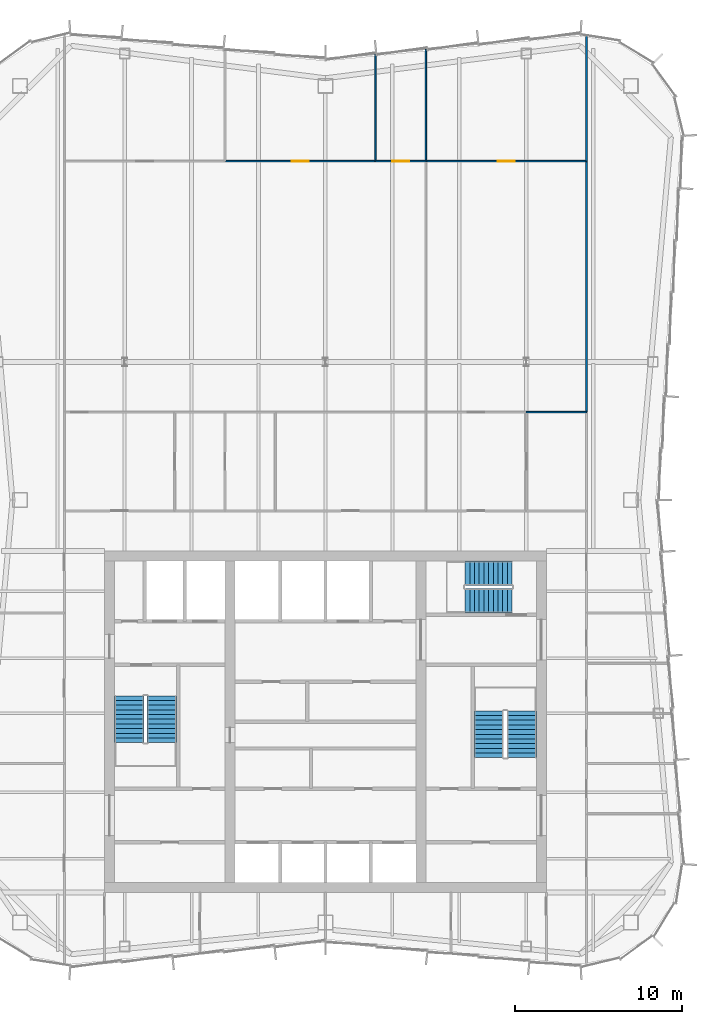
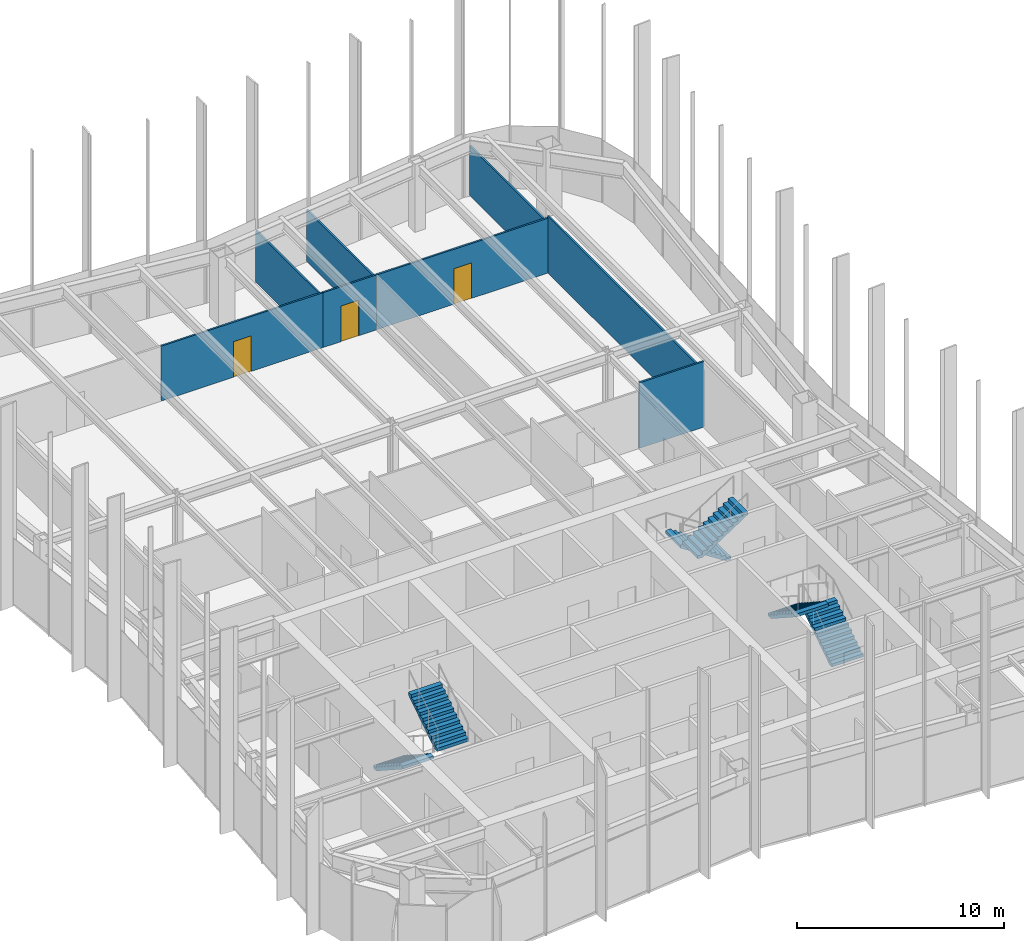
# One storey, part 12 of 13: 8 walls, 6 stair flights, 3 doors, 3 openings, 3 elements without a shape of their own.
"""IFC4 building model written with IfcOpenShell, lengths in metres."""

from ifc_helpers import new_model, si_unit, direction, frame, frame_2d, origin, place, context, subcontext, project, spatial, polyline, rectangle, outline, extrude, material, layer, layer_set, type_object, element, fill, aggregate, save


model = new_model("IFC4")

# Units and contexts
model_context = context("Model", 3, precision=1e-05, world=origin(), true_north=direction((0.0, 1.0)))
body_context = subcontext(model_context, "Body", "Model", "MODEL_VIEW")
ifc_project = project(units=[si_unit("LENGTHUNIT", "METRE"), si_unit("AREAUNIT", "SQUARE_METRE"), si_unit("VOLUMEUNIT", "CUBIC_METRE"), si_unit("PLANEANGLEUNIT", "RADIAN"), si_unit("MASSUNIT", "GRAM", prefix="KILO")], contexts=[model_context])

# Site, building, storey
site_placement = place(None, origin())
site = spatial("IfcSite", under=ifc_project, at=site_placement, CompositionType="ELEMENT")
building_placement = place(site_placement, origin())
building = spatial("IfcBuilding", under=site, at=building_placement, Name="Verdant Reach Tower", CompositionType="ELEMENT")
storey_placement = place(building_placement, frame((0.0, 0.0, 306.0)))
storey = spatial("IfcBuildingStorey", under=building, at=storey_placement, Name="L70", CompositionType="ELEMENT", Elevation=306.0)

# Walls
ifc_material_1 = material(Name="Gypsum board on steel studs", Category="steel")
ifc_layer = layer(ifc_material_1, 0.10009765625)
ifc_layer_set = layer_set([ifc_layer], Name="FL-W1 Partition 100")
wall_type = type_object("IfcWallType", Name="FL-W1 Partition 100", PredefinedType="PARTITIONING", material=ifc_layer_set)
wall_1_placement = place(storey_placement, frame((15.60009765625, 61.5, 0.0), z_axis=(0.0, 0.0, 1.0), x_axis=(0.0, -1.0, 0.0)))
element("IfcWall", 1, at=wall_1_placement, inside=storey, type_object=wall_type, Name="Partition 70.29", PredefinedType="PARTITIONING", context=body_context, shape_type="SweptSolid", body=[
    extrude(rectangle(XDim=15.0, YDim=0.10009765625, at=frame_2d((7.5, 0.0))), origin(), (0.0, 0.0, 1.0), 3.35009765625),
])
wall_2_placement = place(storey_placement, frame((15.60009765625, 69.010498046875, 0.0), z_axis=(0.0, 0.0, 1.0), x_axis=(0.0, -1.0, 0.0)))
element("IfcWall", 2, at=wall_2_placement, inside=storey, type_object=wall_type, Name="Partition 70.30", PredefinedType="PARTITIONING", context=body_context, shape_type="SweptSolid", body=[
    extrude(rectangle(XDim=7.510498046875, YDim=0.10009765625, at=frame_2d((3.75537109375, 0.0))), origin(), (0.0, 0.0, 1.0), 2.929931640625),
])

# Wall, opening, door
wall_3_placement = place(storey_placement, frame((-6.0, 61.5, 0.0), z_axis=(0.0, 0.0, 1.0), x_axis=(1.0, 0.0, 0.0)))
wall_3 = element("IfcWall", 3, at=wall_3_placement, inside=storey, type_object=wall_type, Name="Partition 70.43", PredefinedType="PARTITIONING", context=body_context, shape_type="SweptSolid", body=[
    extrude(rectangle(XDim=9.0, YDim=0.10009765625, at=frame_2d((4.5, 0.0))), origin(), (0.0, 0.0, 1.0), 3.239990234375),
])
opening_1_placement = place(wall_3_placement, frame((4.0, 0.0, 0.0)))
opening_1 = element("IfcOpeningElement", 4, at=opening_1_placement, cuts=wall_3, Name="Opening D3", PredefinedType="OPENING", context=body_context, shape_type="SweptSolid", body=[
    extrude(rectangle(XDim=1.0, YDim=2.10009765625, at=frame_2d((0.5, 1.050048828125))), frame((0.0, 0.06005859375, 0.0), z_axis=(0.0, -1.0, 0.0), x_axis=(1.0, 0.0, 0.0)), (0.0, 0.0, 1.0), 0.1201171875),
])
ifc_material_2 = material(Name="Painted timber door leaf", Category="wood")
door_type = type_object("IfcDoorType", Name="FL-D3 Door 1000x2100", OperationType="NOTDEFINED", PredefinedType="DOOR", material=ifc_material_2)
door_1_placement = place(opening_1_placement, origin())
door_1 = element("IfcDoor", 5, at=door_1_placement, inside=storey, type_object=door_type, Name="Door 70-021", OperationType="SINGLE_SWING_LEFT", OverallHeight=2.10009765625, OverallWidth=1.0, PredefinedType="DOOR", context=body_context, shape_type="SweptSolid", body=[
    extrude(rectangle(XDim=1.0, YDim=2.10009765625, at=frame_2d((0.5, 1.050048828125))), frame((0.0, 0.02490234375, 0.0), z_axis=(0.0, -1.0, 0.0), x_axis=(1.0, 0.0, 0.0)), (0.0, 0.0, 1.0), 0.050048828125),
])
fill(opening_1, door_1)

wall_4_placement = place(storey_placement, frame((3.0, 61.5, 0.0), z_axis=(0.0, 0.0, 1.0), x_axis=(1.0, 0.0, 0.0)))
wall_4 = element("IfcWall", 6, at=wall_4_placement, inside=storey, type_object=wall_type, Name="Partition 70.44", PredefinedType="PARTITIONING", context=body_context, shape_type="SweptSolid", body=[
    extrude(rectangle(XDim=3.0, YDim=0.10009765625, at=frame_2d((1.5, 0.0))), origin(), (0.0, 0.0, 1.0), 3.239990234375),
])
opening_2_placement = place(wall_4_placement, frame((1.0, 0.0, 0.0)))
opening_2 = element("IfcOpeningElement", 7, at=opening_2_placement, cuts=wall_4, Name="Opening D3", PredefinedType="OPENING", context=body_context, shape_type="SweptSolid", body=[
    extrude(rectangle(XDim=1.0, YDim=2.10009765625, at=frame_2d((0.5, 1.050048828125))), frame((0.0, 0.06005859375, 0.0), z_axis=(0.0, -1.0, 0.0), x_axis=(1.0, 0.0, 0.0)), (0.0, 0.0, 1.0), 0.1201171875),
])
door_2_placement = place(opening_2_placement, origin())
door_2 = element("IfcDoor", 8, at=door_2_placement, inside=storey, type_object=door_type, Name="Door 70-022", OperationType="SINGLE_SWING_RIGHT", OverallHeight=2.10009765625, OverallWidth=1.0, PredefinedType="DOOR", context=body_context, shape_type="SweptSolid", body=[
    extrude(rectangle(XDim=1.0, YDim=2.10009765625, at=frame_2d((0.5, 1.050048828125))), frame((0.0, 0.02490234375, 0.0), z_axis=(0.0, -1.0, 0.0), x_axis=(1.0, 0.0, 0.0)), (0.0, 0.0, 1.0), 0.050048828125),
])
fill(opening_2, door_2)

# Walls
wall_5_placement = place(storey_placement, frame((3.0, 61.5, 0.0), z_axis=(0.0, 0.0, 1.0), x_axis=(0.0, 1.0, 0.0)))
element("IfcWall", 9, at=wall_5_placement, inside=storey, type_object=wall_type, Name="Partition 70.47", PredefinedType="PARTITIONING", context=body_context, shape_type="SweptSolid", body=[
    extrude(rectangle(XDim=6.375, YDim=0.10009765625, at=frame_2d((3.1875, 0.0))), origin(), (0.0, 0.0, 1.0), 3.0400390625),
])
wall_6_placement = place(storey_placement, frame((6.0, 61.5, 0.0), z_axis=(0.0, 0.0, 1.0), x_axis=(0.0, 1.0, 0.0)))
element("IfcWall", 10, at=wall_6_placement, inside=storey, type_object=wall_type, Name="Partition 70.48", PredefinedType="PARTITIONING", context=body_context, shape_type="SweptSolid", body=[
    extrude(rectangle(XDim=6.670166015625, YDim=0.10009765625, at=frame_2d((3.3349609375, 0.0))), origin(), (0.0, 0.0, 1.0), 3.0400390625),
])
wall_7_placement = place(storey_placement, frame((15.60009765625, 46.5, 0.0), z_axis=(0.0, 0.0, 1.0), x_axis=(-1.0, 0.0, 0.0)))
element("IfcWall", 11, at=wall_7_placement, inside=storey, type_object=wall_type, Name="Partition 70.51", PredefinedType="PARTITIONING", context=body_context, shape_type="SweptSolid", body=[
    extrude(rectangle(XDim=3.60400390625, YDim=0.10009765625, at=frame_2d((1.802001953125, 0.0))), origin(), (0.0, 0.0, 1.0), 3.8701171875),
])

# Wall, opening, door
wall_8_placement = place(storey_placement, frame((6.0, 61.5, 0.0), z_axis=(0.0, 0.0, 1.0), x_axis=(1.0, 0.0, 0.0)))
wall_8 = element("IfcWall", 12, at=wall_8_placement, inside=storey, type_object=wall_type, Name="Partition 70.52", PredefinedType="PARTITIONING", context=body_context, shape_type="SweptSolid", body=[
    extrude(rectangle(XDim=9.60009765625, YDim=0.10009765625, at=frame_2d((4.800048828125, 0.0))), origin(), (0.0, 0.0, 1.0), 3.239990234375),
])
opening_3_placement = place(wall_8_placement, frame((4.300048828125, 0.0, 0.0)))
opening_3 = element("IfcOpeningElement", 13, at=opening_3_placement, cuts=wall_8, Name="Opening D3", PredefinedType="OPENING", context=body_context, shape_type="SweptSolid", body=[
    extrude(rectangle(XDim=1.0, YDim=2.10009765625, at=frame_2d((0.5, 1.050048828125))), frame((0.0, 0.06005859375, 0.0), z_axis=(0.0, -1.0, 0.0), x_axis=(1.0, 0.0, 0.0)), (0.0, 0.0, 1.0), 0.1201171875),
])
door_3_placement = place(opening_3_placement, origin())
door_3 = element("IfcDoor", 14, at=door_3_placement, inside=storey, type_object=door_type, Name="Door 70-025", OperationType="SINGLE_SWING_LEFT", OverallHeight=2.10009765625, OverallWidth=1.0, PredefinedType="DOOR", context=body_context, shape_type="SweptSolid", body=[
    extrude(rectangle(XDim=1.0, YDim=2.10009765625, at=frame_2d((0.5, 1.050048828125))), frame((0.0, 0.02490234375, 0.0), z_axis=(0.0, -1.0, 0.0), x_axis=(1.0, 0.0, 0.0)), (0.0, 0.0, 1.0), 0.050048828125),
])
fill(opening_3, door_3)

# Stair, stair flights
ifc_material_3 = material(Name="Concrete C40/50", Category="concrete")
stair_type = type_object("IfcStairType", Name="CO-STAIR", PredefinedType="HALF_TURN_STAIR", material=ifc_material_3)
stair_1_placement = place(storey_placement, origin())
stair_1 = element("IfcStair", 15, at=stair_1_placement, inside=storey, type_object=stair_type, Name="L70 Exit stair 1", PredefinedType="HALF_TURN_STAIR")
stair_flight_type = type_object("IfcStairFlightType", Name="CO-STAIR-FLIGHT", PredefinedType="STRAIGHT", material=ifc_material_3)
stair_flight_1_placement = place(storey_placement, frame((-11.72509765625, 29.550048828125, 0.0), z_axis=(0.0, 0.0, 1.0), x_axis=(0.0, -1.0, 0.0)))
stair_flight_1 = element("IfcStairFlight", 16, at=stair_flight_1_placement, type_object=stair_flight_type, Name="ST-1 flight 1", NumberOfRisers=11, NumberOfTreads=10, PredefinedType="STRAIGHT", RiserHeight=0.181818182, TreadLength=0.28, context=body_context, shape_type="SweptSolid", body=[
    extrude(outline(polyline([(0.0, 0.0), (0.0, 0.181884765625), (0.280029296875, 0.181884765625), (0.280029296875, 0.363525390625), (0.56005859375, 0.363525390625), (0.56005859375, 0.54541015625), (0.840087890625, 0.54541015625), (0.840087890625, 0.727294921875), (1.1201171875, 0.727294921875), (1.1201171875, 0.9091796875), (1.39990234375, 0.9091796875), (1.39990234375, 1.0908203125), (1.679931640625, 1.0908203125), (1.679931640625, 1.272705078125), (1.9599609375, 1.272705078125), (1.9599609375, 1.45458984375), (2.239990234375, 1.45458984375), (2.239990234375, 1.636474609375), (2.52001953125, 1.636474609375), (2.52001953125, 1.818115234375), (2.800048828125, 1.818115234375), (2.800048828125, 2.0), (2.800048828125, 1.639404296875), (0.275146484375, 0.0), (0.0, 0.0)])), frame((0.0, 0.875, 0.0), z_axis=(0.0, -1.0, 0.0), x_axis=(1.0, 0.0, 0.0)), (0.0, 0.0, 1.0), 1.75),
])
stair_flight_2_placement = place(storey_placement, frame((-9.77490234375, 26.75, 2.0), z_axis=(0.0, 0.0, 1.0), x_axis=(0.0, 1.0, 0.0)))
stair_flight_2 = element("IfcStairFlight", 17, at=stair_flight_2_placement, type_object=stair_flight_type, Name="ST-1 flight 2", NumberOfRisers=11, NumberOfTreads=10, PredefinedType="STRAIGHT", RiserHeight=0.181818182, TreadLength=0.28, context=body_context, shape_type="SweptSolid", body=[
    extrude(outline(polyline([(0.0, 0.0), (0.0, 0.181884765625), (0.280029296875, 0.181884765625), (0.280029296875, 0.363525390625), (0.56005859375, 0.363525390625), (0.56005859375, 0.54541015625), (0.840087890625, 0.54541015625), (0.840087890625, 0.727294921875), (1.1201171875, 0.727294921875), (1.1201171875, 0.9091796875), (1.39990234375, 0.9091796875), (1.39990234375, 1.0908203125), (1.679931640625, 1.0908203125), (1.679931640625, 1.272705078125), (1.9599609375, 1.272705078125), (1.9599609375, 1.45458984375), (2.239990234375, 1.45458984375), (2.239990234375, 1.636474609375), (2.52001953125, 1.636474609375), (2.52001953125, 1.818115234375), (2.800048828125, 1.818115234375), (2.800048828125, 2.0), (2.800048828125, 1.639404296875), (0.275146484375, 0.0), (0.0, 0.0)])), frame((0.0, 0.875, 0.0), z_axis=(0.0, -1.0, 0.0), x_axis=(1.0, 0.0, 0.0)), (0.0, 0.0, 1.0), 1.75),
])
aggregate(stair_1, [stair_flight_1, stair_flight_2])

stair_2_placement = place(storey_placement, origin())
stair_2 = element("IfcStair", 18, at=stair_2_placement, inside=storey, type_object=stair_type, Name="L70 Exit stair 2", PredefinedType="HALF_TURN_STAIR")
stair_flight_3_placement = place(storey_placement, frame((11.72509765625, 25.85009765625, 0.0), z_axis=(0.0, 0.0, 1.0), x_axis=(0.0, 1.0, 0.0)))
stair_flight_3 = element("IfcStairFlight", 19, at=stair_flight_3_placement, type_object=stair_flight_type, Name="ST-2 flight 1", NumberOfRisers=11, NumberOfTreads=10, PredefinedType="STRAIGHT", RiserHeight=0.181818182, TreadLength=0.28, context=body_context, shape_type="SweptSolid", body=[
    extrude(outline(polyline([(0.0, 0.0), (0.0, 0.181884765625), (0.280029296875, 0.181884765625), (0.280029296875, 0.363525390625), (0.56005859375, 0.363525390625), (0.56005859375, 0.54541015625), (0.840087890625, 0.54541015625), (0.840087890625, 0.727294921875), (1.1201171875, 0.727294921875), (1.1201171875, 0.9091796875), (1.39990234375, 0.9091796875), (1.39990234375, 1.0908203125), (1.679931640625, 1.0908203125), (1.679931640625, 1.272705078125), (1.9599609375, 1.272705078125), (1.9599609375, 1.45458984375), (2.239990234375, 1.45458984375), (2.239990234375, 1.636474609375), (2.52001953125, 1.636474609375), (2.52001953125, 1.818115234375), (2.800048828125, 1.818115234375), (2.800048828125, 2.0), (2.800048828125, 1.639404296875), (0.275146484375, 0.0), (0.0, 0.0)])), frame((0.0, 0.875, 0.0), z_axis=(0.0, -1.0, 0.0), x_axis=(1.0, 0.0, 0.0)), (0.0, 0.0, 1.0), 1.75),
])
stair_flight_4_placement = place(storey_placement, frame((9.77490234375, 28.64990234375, 2.0), z_axis=(0.0, 0.0, 1.0), x_axis=(0.0, -1.0, 0.0)))
stair_flight_4 = element("IfcStairFlight", 20, at=stair_flight_4_placement, type_object=stair_flight_type, Name="ST-2 flight 2", NumberOfRisers=11, NumberOfTreads=10, PredefinedType="STRAIGHT", RiserHeight=0.181818182, TreadLength=0.28, context=body_context, shape_type="SweptSolid", body=[
    extrude(outline(polyline([(0.0, 0.0), (0.0, 0.181884765625), (0.280029296875, 0.181884765625), (0.280029296875, 0.363525390625), (0.56005859375, 0.363525390625), (0.56005859375, 0.54541015625), (0.840087890625, 0.54541015625), (0.840087890625, 0.727294921875), (1.1201171875, 0.727294921875), (1.1201171875, 0.9091796875), (1.39990234375, 0.9091796875), (1.39990234375, 1.0908203125), (1.679931640625, 1.0908203125), (1.679931640625, 1.272705078125), (1.9599609375, 1.272705078125), (1.9599609375, 1.45458984375), (2.239990234375, 1.45458984375), (2.239990234375, 1.636474609375), (2.52001953125, 1.636474609375), (2.52001953125, 1.818115234375), (2.800048828125, 1.818115234375), (2.800048828125, 2.0), (2.800048828125, 1.639404296875), (0.275146484375, 0.0), (0.0, 0.0)])), frame((0.0, 0.875, 0.0), z_axis=(0.0, -1.0, 0.0), x_axis=(1.0, 0.0, 0.0)), (0.0, 0.0, 1.0), 1.75),
])
aggregate(stair_2, [stair_flight_3, stair_flight_4])

stair_3_placement = place(storey_placement, origin())
stair_3 = element("IfcStair", 21, at=stair_3_placement, inside=storey, type_object=stair_type, Name="L70 Exit stair 3", PredefinedType="HALF_TURN_STAIR")
stair_flight_5_placement = place(storey_placement, frame((11.14990234375, 36.875, 0.0), z_axis=(0.0, 0.0, 1.0), x_axis=(-1.0, 0.0, 0.0)))
stair_flight_5 = element("IfcStairFlight", 22, at=stair_flight_5_placement, type_object=stair_flight_type, Name="ST-3 flight 1", NumberOfRisers=11, NumberOfTreads=10, PredefinedType="STRAIGHT", RiserHeight=0.181818182, TreadLength=0.28, context=body_context, shape_type="SweptSolid", body=[
    extrude(outline(polyline([(0.0, 0.0), (0.0, 0.181884765625), (0.280029296875, 0.181884765625), (0.280029296875, 0.363525390625), (0.56005859375, 0.363525390625), (0.56005859375, 0.54541015625), (0.840087890625, 0.54541015625), (0.840087890625, 0.727294921875), (1.1201171875, 0.727294921875), (1.1201171875, 0.9091796875), (1.39990234375, 0.9091796875), (1.39990234375, 1.0908203125), (1.679931640625, 1.0908203125), (1.679931640625, 1.272705078125), (1.9599609375, 1.272705078125), (1.9599609375, 1.45458984375), (2.239990234375, 1.45458984375), (2.239990234375, 1.636474609375), (2.52001953125, 1.636474609375), (2.52001953125, 1.818115234375), (2.800048828125, 1.818115234375), (2.800048828125, 2.0), (2.800048828125, 1.639404296875), (0.275146484375, 0.0), (0.0, 0.0)])), frame((0.0, 0.72509765625, 0.0), z_axis=(0.0, -1.0, 0.0), x_axis=(1.0, 0.0, 0.0)), (0.0, 0.0, 1.0), 1.449951171875),
])
stair_flight_6_placement = place(storey_placement, frame((8.35009765625, 35.22509765625, 2.0), z_axis=(0.0, 0.0, 1.0), x_axis=(1.0, 0.0, 0.0)))
stair_flight_6 = element("IfcStairFlight", 23, at=stair_flight_6_placement, type_object=stair_flight_type, Name="ST-3 flight 2", NumberOfRisers=11, NumberOfTreads=10, PredefinedType="STRAIGHT", RiserHeight=0.181818182, TreadLength=0.28, context=body_context, shape_type="SweptSolid", body=[
    extrude(outline(polyline([(0.0, 0.0), (0.0, 0.181884765625), (0.280029296875, 0.181884765625), (0.280029296875, 0.363525390625), (0.56005859375, 0.363525390625), (0.56005859375, 0.54541015625), (0.840087890625, 0.54541015625), (0.840087890625, 0.727294921875), (1.1201171875, 0.727294921875), (1.1201171875, 0.9091796875), (1.39990234375, 0.9091796875), (1.39990234375, 1.0908203125), (1.679931640625, 1.0908203125), (1.679931640625, 1.272705078125), (1.9599609375, 1.272705078125), (1.9599609375, 1.45458984375), (2.239990234375, 1.45458984375), (2.239990234375, 1.636474609375), (2.52001953125, 1.636474609375), (2.52001953125, 1.818115234375), (2.800048828125, 1.818115234375), (2.800048828125, 2.0), (2.800048828125, 1.639404296875), (0.275146484375, 0.0), (0.0, 0.0)])), frame((0.0, 0.72509765625, 0.0), z_axis=(0.0, -1.0, 0.0), x_axis=(1.0, 0.0, 0.0)), (0.0, 0.0, 1.0), 1.449951171875),
])
aggregate(stair_3, [stair_flight_5, stair_flight_6])

save(model, "model.ifc")
